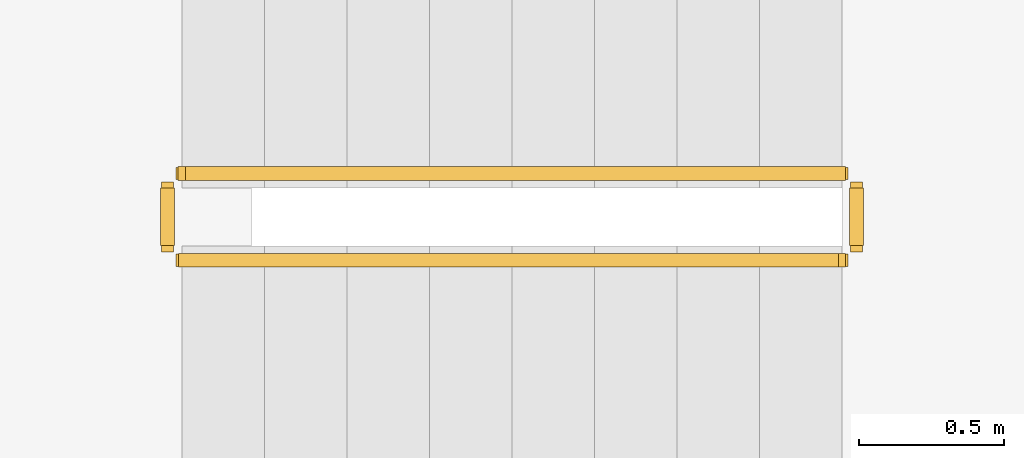
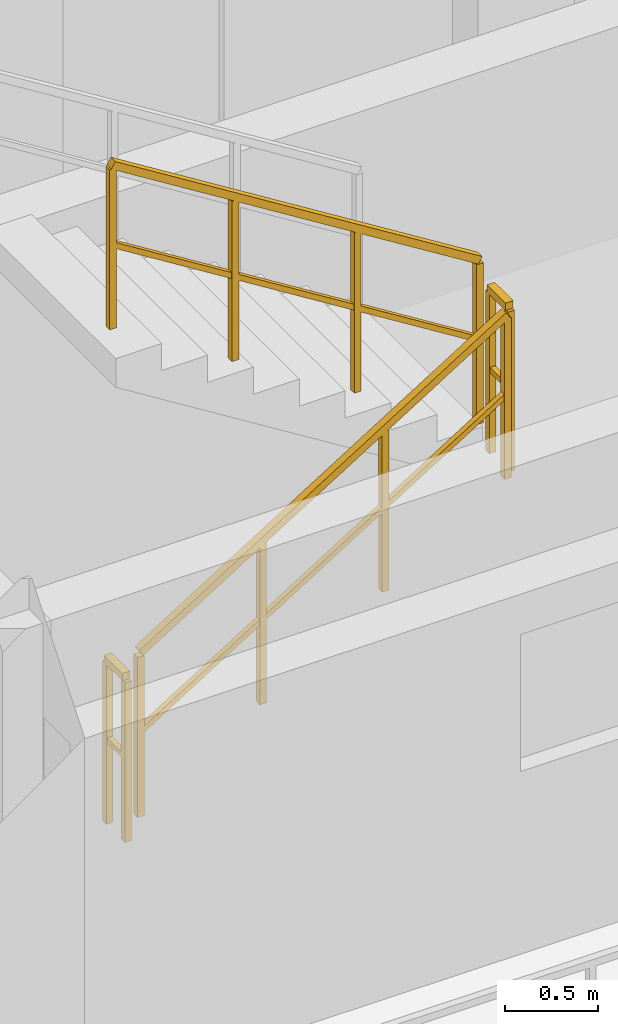
# One storey, part 74 of 76: 4 railings.
"""IFC4 building model written with IfcOpenShell, lengths in metres."""

from ifc_helpers import new_model, si_unit, direction, frame, origin, origin_2d, place, context, subcontext, project, spatial, rectangle, extrude, material, type_object, element, save


model = new_model("IFC4")

# Units and contexts
model_context = context("Model", 3, precision=1e-05, world=origin(), true_north=direction((0.0, 1.0)))
body_context = subcontext(model_context, "Body", "Model", "MODEL_VIEW")
ifc_project = project(units=[si_unit("LENGTHUNIT", "METRE"), si_unit("AREAUNIT", "SQUARE_METRE"), si_unit("VOLUMEUNIT", "CUBIC_METRE"), si_unit("PLANEANGLEUNIT", "RADIAN"), si_unit("MASSUNIT", "GRAM", prefix="KILO")], contexts=[model_context])

# Site, building, storey
site_placement = place(None, origin())
site = spatial("IfcSite", under=ifc_project, at=site_placement, CompositionType="ELEMENT")
building_placement = place(site_placement, origin())
building = spatial("IfcBuilding", under=site, at=building_placement, Name="Suanplinth Sawtooth Commons", CompositionType="ELEMENT")
storey_placement = place(building_placement, frame((0.0, 0.0, 12.199951171875)))
storey = spatial("IfcBuildingStorey", under=building, at=storey_placement, Name="L03", CompositionType="ELEMENT", Elevation=12.199951171875)

# Railings
ifc_material = material(Name="Stainless steel Grade 304", Category="steel")
railing_type = type_object("IfcRailingType", Name="GR-04", PredefinedType="GUARDRAIL", material=ifc_material)
railing_1_placement = place(storey_placement, frame((138.64990234375, 109.800048828125, 0.177734375)))
element("IfcRailing", 1, at=railing_1_placement, inside=storey, type_object=railing_type, Name="L03 ST-E1 Guard 1", PredefinedType="GUARDRAIL", context=body_context, shape_type="SweptSolid", body=[
    extrude(rectangle(XDim=0.048095703125, YDim=0.048095703125, at=origin_2d()), frame((0.0, 0.0, 1.076171875), z_axis=(0.848442045328, 0.0, 0.529288291689), x_axis=(0.0, 1.0, 0.0)), (0.0, 0.0, 1.0), 2.687255859375),
    extrude(rectangle(XDim=0.03369140625, YDim=0.03369140625, at=origin_2d()), frame((0.0, 0.0, 0.550048828125), z_axis=(0.848442045328, 0.0, 0.529288291689), x_axis=(0.0, 1.0, 0.0)), (0.0, 0.0, 1.0), 2.687255859375),
    extrude(rectangle(XDim=0.0419921875, YDim=0.0419921875, at=origin_2d()), origin(), (0.0, 0.0, 1.0), 1.052001953125),
    extrude(rectangle(XDim=0.0419921875, YDim=0.0419921875, at=origin_2d()), frame((0.760009765625, 0.0, 0.47412109375)), (0.0, 0.0, 1.0), 1.052001953125),
    extrude(rectangle(XDim=0.0419921875, YDim=0.0419921875, at=origin_2d()), frame((1.52001953125, 0.0, 0.9482421875)), (0.0, 0.0, 1.0), 1.052001953125),
    extrude(rectangle(XDim=0.0419921875, YDim=0.0419921875, at=origin_2d()), frame((2.280029296875, 0.0, 1.42236328125)), (0.0, 0.0, 1.0), 1.052001953125),
])
railing_2_placement = place(storey_placement, frame((140.97998046875, 109.85009765625, 1.60009765625)))
element("IfcRailing", 2, at=railing_2_placement, inside=storey, type_object=railing_type, Name="L03 ST-E1 Guard 2", PredefinedType="GUARDRAIL", context=body_context, shape_type="SweptSolid", body=[
    extrude(rectangle(XDim=0.048095703125, YDim=0.048095703125, at=origin_2d()), frame((0.0, 0.0, 1.076171875), z_axis=(0.0, 1.0, 0.0), x_axis=(-1.0, 0.0, 0.0)), (0.0, 0.0, 1.0), 0.199951171875),
    extrude(rectangle(XDim=0.03369140625, YDim=0.03369140625, at=origin_2d()), frame((0.0, 0.0, 0.550048828125), z_axis=(0.0, 1.0, 0.0), x_axis=(-1.0, 0.0, 0.0)), (0.0, 0.0, 1.0), 0.199951171875),
    extrude(rectangle(XDim=0.0419921875, YDim=0.0419921875, at=origin_2d()), origin(), (0.0, 0.0, 1.0), 1.052001953125),
    extrude(rectangle(XDim=0.0419921875, YDim=0.0419921875, at=origin_2d()), frame((0.0, 0.199951171875, 0.0)), (0.0, 0.0, 1.0), 1.052001953125),
])
railing_3_placement = place(storey_placement, frame((140.929931640625, 110.10009765625, 1.77783203125)))
element("IfcRailing", 3, at=railing_3_placement, inside=storey, type_object=railing_type, Name="L03 ST-E1 Guard 3", PredefinedType="GUARDRAIL", context=body_context, shape_type="SweptSolid", body=[
    extrude(rectangle(XDim=0.048095703125, YDim=0.048095703125, at=origin_2d()), frame((0.0, 0.0, 1.076171875), z_axis=(-0.848482842525, 0.0, 0.529222888715), x_axis=(0.0, -1.0, 0.0)), (0.0, 0.0, 1.0), 2.687255859375),
    extrude(rectangle(XDim=0.03369140625, YDim=0.03369140625, at=origin_2d()), frame((0.0, 0.0, 0.550048828125), z_axis=(-0.848482842525, 0.0, 0.529222888715), x_axis=(0.0, -1.0, 0.0)), (0.0, 0.0, 1.0), 2.687255859375),
    extrude(rectangle(XDim=0.0419921875, YDim=0.0419921875, at=origin_2d()), origin(), (0.0, 0.0, 1.0), 1.052001953125),
    extrude(rectangle(XDim=0.0419921875, YDim=0.0419921875, at=origin_2d()), frame((-0.760009765625, 0.0, 0.47412109375)), (0.0, 0.0, 1.0), 1.052001953125),
    extrude(rectangle(XDim=0.0419921875, YDim=0.0419921875, at=origin_2d()), frame((-1.52001953125, 0.0, 0.947998046875)), (0.0, 0.0, 1.0), 1.052001953125),
    extrude(rectangle(XDim=0.0419921875, YDim=0.0419921875, at=origin_2d()), frame((-2.280029296875, 0.0, 1.422119140625)), (0.0, 0.0, 1.0), 1.052001953125),
])
railing_4_placement = place(storey_placement, frame((138.60009765625, 109.85009765625, 0.0)))
element("IfcRailing", 4, at=railing_4_placement, inside=storey, type_object=railing_type, Name="L03 ST-E1 Guard 4", PredefinedType="GUARDRAIL", context=body_context, shape_type="SweptSolid", body=[
    extrude(rectangle(XDim=0.048095703125, YDim=0.048095703125, at=origin_2d()), frame((0.0, 0.0, 1.076171875), z_axis=(0.0, 1.0, 0.0), x_axis=(-1.0, 0.0, 0.0)), (0.0, 0.0, 1.0), 0.199951171875),
    extrude(rectangle(XDim=0.03369140625, YDim=0.03369140625, at=origin_2d()), frame((0.0, 0.0, 0.550048828125), z_axis=(0.0, 1.0, 0.0), x_axis=(-1.0, 0.0, 0.0)), (0.0, 0.0, 1.0), 0.199951171875),
    extrude(rectangle(XDim=0.0419921875, YDim=0.0419921875, at=origin_2d()), origin(), (0.0, 0.0, 1.0), 1.052001953125),
    extrude(rectangle(XDim=0.0419921875, YDim=0.0419921875, at=origin_2d()), frame((0.0, 0.199951171875, 0.0)), (0.0, 0.0, 1.0), 1.052001953125),
])

save(model, "model.ifc")
